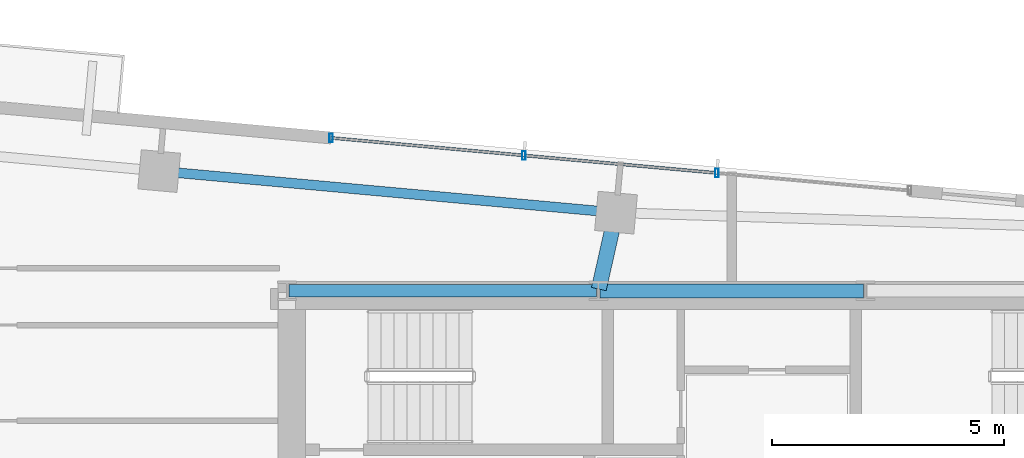
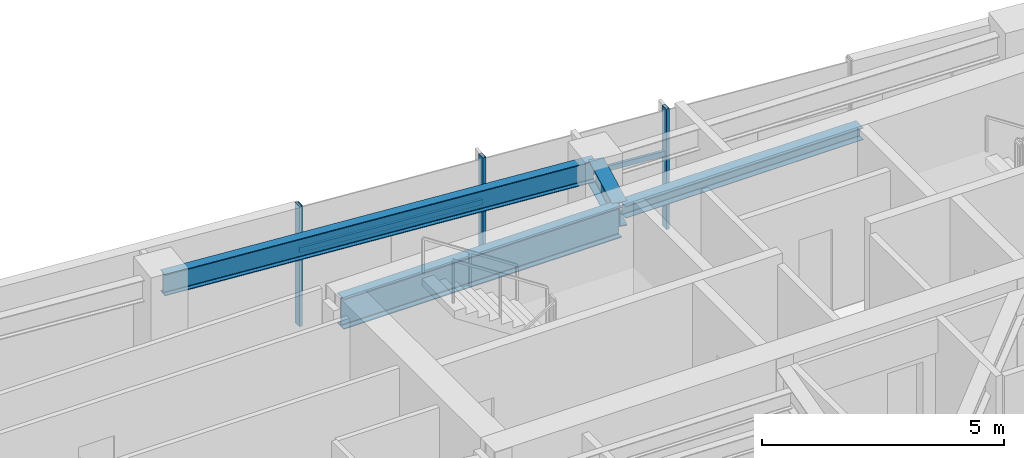
# One storey, part 10 of 22: 5 members, 4 beams, 1 element without a shape of its own.
"""IFC4 building model written with IfcOpenShell, lengths in metres."""

from ifc_helpers import new_model, si_unit, direction, frame, origin, origin_2d, place, context, subcontext, project, spatial, hollow_rectangle, i_section, extrude, source, transform, mapped, material, material_profile, profile_set, type_object, type_shapes, element, aggregate, save


model = new_model("IFC4")

# Units and contexts
model_context = context("Model", 3, precision=1e-05, world=origin(), true_north=direction((0.0, 1.0)))
body_context = subcontext(model_context, "Body", "Model", "MODEL_VIEW")
ifc_project = project(units=[si_unit("LENGTHUNIT", "METRE"), si_unit("AREAUNIT", "SQUARE_METRE"), si_unit("VOLUMEUNIT", "CUBIC_METRE"), si_unit("PLANEANGLEUNIT", "RADIAN"), si_unit("MASSUNIT", "GRAM", prefix="KILO")], contexts=[model_context])

# Site, building, storey
site_placement = place(None, origin())
site = spatial("IfcSite", under=ifc_project, at=site_placement, CompositionType="ELEMENT")
building_placement = place(site_placement, origin())
building = spatial("IfcBuilding", under=site, at=building_placement, Name="Astriad Promenade Condominiums", CompositionType="ELEMENT")
storey_placement = place(building_placement, frame((0.0, 0.0, 239.699951171875)))
storey = spatial("IfcBuildingStorey", under=building, at=storey_placement, Name="L69", CompositionType="ELEMENT", Elevation=239.699951171875)

# Beams
ifc_material_1 = material(Name="Steel ASTM A992 Grade 50", Category="steel")
ifc_material_profile_1 = material_profile(ifc_material_1, i_section(OverallWidth=0.267822265625, OverallDepth=0.76953125, WebThickness=0.015625, FlangeThickness=0.025390625, FilletRadius=0.021484375, at=origin_2d()), Name="W30X132")
ifc_profile_set_1 = profile_set([ifc_material_profile_1], Name="Steel ASTM A992 Grade 50")
beam_type_1 = type_object("IfcBeamType", Name="STEEL FLOOR GIRDER W30X132", PredefinedType="BEAM", material=ifc_profile_set_1)
shared_shape_1 = source(origin(), body_context, "Body", "SweptSolid", [
    extrude(i_section(OverallWidth=0.267822265625, OverallDepth=0.76953125, WebThickness=0.015625, FlangeThickness=0.025390625, FilletRadius=0.021484375, at=origin_2d()), origin(), (0.0, 0.0, 1.0), 6.64013671875),
])
type_shapes(beam_type_1, [shared_shape_1])
beam_1_placement = place(storey_placement, frame((26.43994140625, 24.0, 2.6552734375), z_axis=(1.0, 0.0, 0.0), x_axis=(0.0, 1.0, 0.0)))
element("IfcBeam", 1, at=beam_1_placement, inside=storey, type_object=beam_type_1, Name="Core Ring Beam CG-N1-L69", PredefinedType="BEAM", context=body_context, shape_type="MappedRepresentation", body=[
    mapped(shared_shape_1, transform((0.0, 0.0, 0.0), scale=1.0)),
])
ifc_material_profile_2 = material_profile(ifc_material_1, i_section(OverallWidth=0.3046875, OverallDepth=0.307861328125, WebThickness=0.010009765625, FlangeThickness=0.015380859375, FilletRadius=0.01513671875, at=origin_2d()), Name="W12X65")
ifc_profile_set_2 = profile_set([ifc_material_profile_2], Name="Steel ASTM A992 Grade 50")
beam_type_2 = type_object("IfcBeamType", Name="STEEL OPENING LINTEL W12X65", PredefinedType="LINTEL", material=ifc_profile_set_2)
shared_shape_2 = source(origin(), body_context, "Body", "SweptSolid", [
    extrude(i_section(OverallWidth=0.3046875, OverallDepth=0.307861328125, WebThickness=0.010009765625, FlangeThickness=0.015380859375, FilletRadius=0.01513671875, at=origin_2d()), origin(), (0.0, 0.0, 1.0), 5.68017578125),
])
type_shapes(beam_type_2, [shared_shape_2])
beam_2_placement = place(storey_placement, frame((33.159912109375, 24.0, 2.88623046875), z_axis=(1.0, 0.0, 0.0), x_axis=(0.0, 1.0, 0.0)))
element("IfcBeam", 2, at=beam_2_placement, inside=storey, type_object=beam_type_2, Name="Core Ring Beam CG-N2-L69", PredefinedType="LINTEL", context=body_context, shape_type="MappedRepresentation", body=[
    mapped(shared_shape_2, transform((0.0, 0.0, 0.0), scale=1.0)),
])
ifc_material_profile_3 = material_profile(ifc_material_1, i_section(OverallWidth=0.210693359375, OverallDepth=0.53955078125, WebThickness=0.01171875, FlangeThickness=0.018798828125, FilletRadius=0.0166015625, at=origin_2d()), Name="W21X73")
ifc_profile_set_3 = profile_set([ifc_material_profile_3], Name="Steel ASTM A992 Grade 50")
beam_type_3 = type_object("IfcBeamType", Name="STEEL SPANDREL BEAM W21X73", PredefinedType="SPANDREL", material=ifc_profile_set_3)
shared_shape_3 = source(origin(), body_context, "Body", "SweptSolid", [
    extrude(i_section(OverallWidth=0.210693359375, OverallDepth=0.53955078125, WebThickness=0.01171875, FlangeThickness=0.018798828125, FilletRadius=0.0166015625, at=origin_2d()), origin(), (0.0, 0.0, 1.0), 9.820068359375),
])
type_shapes(beam_type_3, [shared_shape_3])
beam_3_placement = place(storey_placement, frame((33.4599609375, 25.69189453125, 2.770263671875), z_axis=(-0.995885663174, 0.090618683965, 0.0), x_axis=(-0.090618683965, -0.995885663174, 0.0)))
element("IfcBeam", 3, at=beam_3_placement, inside=storey, type_object=beam_type_3, Name="Perimeter Spandrel Beam SP-N2-L69", PredefinedType="SPANDREL", context=body_context, shape_type="MappedRepresentation", body=[
    mapped(shared_shape_3, transform((0.0, 0.0, 0.0), scale=1.0)),
])
ifc_material_profile_4 = material_profile(ifc_material_1, i_section(OverallWidth=0.326416015625, OverallDepth=0.621826171875, WebThickness=0.015380859375, FlangeThickness=0.0244140625, FilletRadius=0.017822265625, at=origin_2d()), Name="W24X131")
ifc_profile_set_4 = profile_set([ifc_material_profile_4], Name="Steel ASTM A992 Grade 50")
beam_type_4 = type_object("IfcBeamType", Name="STEEL FLOOR GIRDER W24X131", PredefinedType="BEAM", material=ifc_profile_set_4)
shared_shape_4 = source(origin(), body_context, "Body", "SweptSolid", [
    extrude(i_section(OverallWidth=0.326416015625, OverallDepth=0.621826171875, WebThickness=0.015380859375, FlangeThickness=0.0244140625, FilletRadius=0.017822265625, at=origin_2d()), origin(), (0.0, 0.0, 1.0), 1.650390625),
])
type_shapes(beam_type_4, [shared_shape_4])
beam_4_placement = place(storey_placement, frame((33.490966796875, 25.649169921875, 2.729248046875), z_axis=(-0.219388986766, -0.975637469804, 0.0), x_axis=(0.975637469804, -0.219388986766, 0.0)))
element("IfcBeam", 4, at=beam_4_placement, inside=storey, type_object=beam_type_4, Name="Primary Floor Girder PG-NC-L69", PredefinedType="BEAM", context=body_context, shape_type="MappedRepresentation", body=[
    mapped(shared_shape_4, transform((0.0, 0.0, 0.0), scale=1.0)),
])

# Curtain wall, members
ifc_material_2 = material(Name="Anodised aluminium Black Dark Glass Unitised", Category="aluminium")
curtain_wall_type = type_object("IfcCurtainWallType", Name="CW-B5-DARK", PredefinedType="USERDEFINED", material=ifc_material_2)
curtain_wall_placement = place(storey_placement, origin())
curtain_wall = element("IfcCurtainWall", 5, at=curtain_wall_placement, inside=storey, type_object=curtain_wall_type, Name="CW-L69-N", ObjectType="UNITISED_CURTAIN_WALL", PredefinedType="USERDEFINED")
ifc_material_3 = material(Name="Anodised aluminium 6063-T6 Black", Category="aluminium")
ifc_material_profile_5 = material_profile(ifc_material_3, hollow_rectangle(XDim=0.06494140625, YDim=0.1298828125, WallThickness=0.00390625, at=origin_2d()), Name="ALU-TRN-65X130")
ifc_profile_set_5 = profile_set([ifc_material_profile_5], Name="Anodised aluminium 6063-T6 Black")
member_type_1 = type_object("IfcMemberType", Name="TRN-ALU-TRN-65X130", PredefinedType="USERDEFINED", material=ifc_profile_set_5)
shared_shape_5 = source(origin(), body_context, "Body", "SweptSolid", [
    extrude(hollow_rectangle(XDim=0.06494140625, YDim=0.1298828125, WallThickness=0.00390625, at=origin_2d()), origin(), (0.0, 0.0, 1.0), 4.179931640625),
])
type_shapes(member_type_1, [shared_shape_5])
member_1_placement = place(storey_placement, frame((27.3505859375, 27.30224609375, 1.884765625), z_axis=(0.995883146811, -0.090646334165, 0.0), x_axis=(0.090646334165, 0.995883146811, 0.0)))
member_1 = element("IfcMember", 6, at=member_1_placement, type_object=member_type_1, Name="CW-L69-N-TRN-00-0", ObjectType="TRANSOM", PredefinedType="USERDEFINED", context=body_context, shape_type="MappedRepresentation", body=[
    mapped(shared_shape_5, transform((0.0, 0.0, 0.0), scale=1.0)),
])
member_2_placement = place(storey_placement, frame((31.513427734375, 26.92333984375, 1.884765625), z_axis=(0.995883146811, -0.090646334165, 0.0), x_axis=(0.090646334165, 0.995883146811, 0.0)))
member_2 = element("IfcMember", 7, at=member_2_placement, type_object=member_type_1, Name="CW-L69-N-TRN-01-0", ObjectType="TRANSOM", PredefinedType="USERDEFINED", context=body_context, shape_type="MappedRepresentation", body=[
    mapped(shared_shape_5, transform((0.0, 0.0, 0.0), scale=1.0)),
])
ifc_material_profile_6 = material_profile(ifc_material_3, hollow_rectangle(XDim=0.074951171875, YDim=0.18505859375, WallThickness=0.00439453125, at=origin_2d()), Name="ALU-MUL-75X185")
ifc_profile_set_6 = profile_set([ifc_material_profile_6], Name="Anodised aluminium 6063-T6 Black")
member_type_2 = type_object("IfcMemberType", Name="MUL-ALU-MUL-75X185", PredefinedType="MULLION", material=ifc_profile_set_6)
shared_shape_6 = source(origin(), body_context, "Body", "SweptSolid", [
    extrude(hollow_rectangle(XDim=0.074951171875, YDim=0.18505859375, WallThickness=0.00439453125, at=origin_2d()), origin(), (0.0, 0.0, 1.0), 3.0400390625),
])
type_shapes(member_type_2, [shared_shape_6])
member_3_placement = place(storey_placement, frame((27.3505859375, 27.30224609375, 0.0), z_axis=(0.0, 0.0, 1.0), x_axis=(1.0, 0.0, 0.0)))
member_3 = element("IfcMember", 8, at=member_3_placement, type_object=member_type_2, Name="CW-L69-N-MUL-00", PredefinedType="MULLION", context=body_context, shape_type="MappedRepresentation", body=[
    mapped(shared_shape_6, transform((0.0, 0.0, 0.0), scale=1.0)),
])
member_4_placement = place(storey_placement, frame((31.513427734375, 26.92333984375, 0.0), z_axis=(0.0, 0.0, 1.0), x_axis=(1.0, 0.0, 0.0)))
member_4 = element("IfcMember", 9, at=member_4_placement, type_object=member_type_2, Name="CW-L69-N-MUL-01", PredefinedType="MULLION", context=body_context, shape_type="MappedRepresentation", body=[
    mapped(shared_shape_6, transform((0.0, 0.0, 0.0), scale=1.0)),
])
member_5_placement = place(storey_placement, frame((35.67626953125, 26.54443359375, 0.0), z_axis=(0.0, 0.0, 1.0), x_axis=(1.0, 0.0, 0.0)))
member_5 = element("IfcMember", 10, at=member_5_placement, type_object=member_type_2, Name="CW-L69-N-MUL-02", PredefinedType="MULLION", context=body_context, shape_type="MappedRepresentation", body=[
    mapped(shared_shape_6, transform((0.0, 0.0, 0.0), scale=1.0)),
])
aggregate(curtain_wall, [member_3, member_4, member_5, member_1, member_2])

save(model, "model.ifc")
